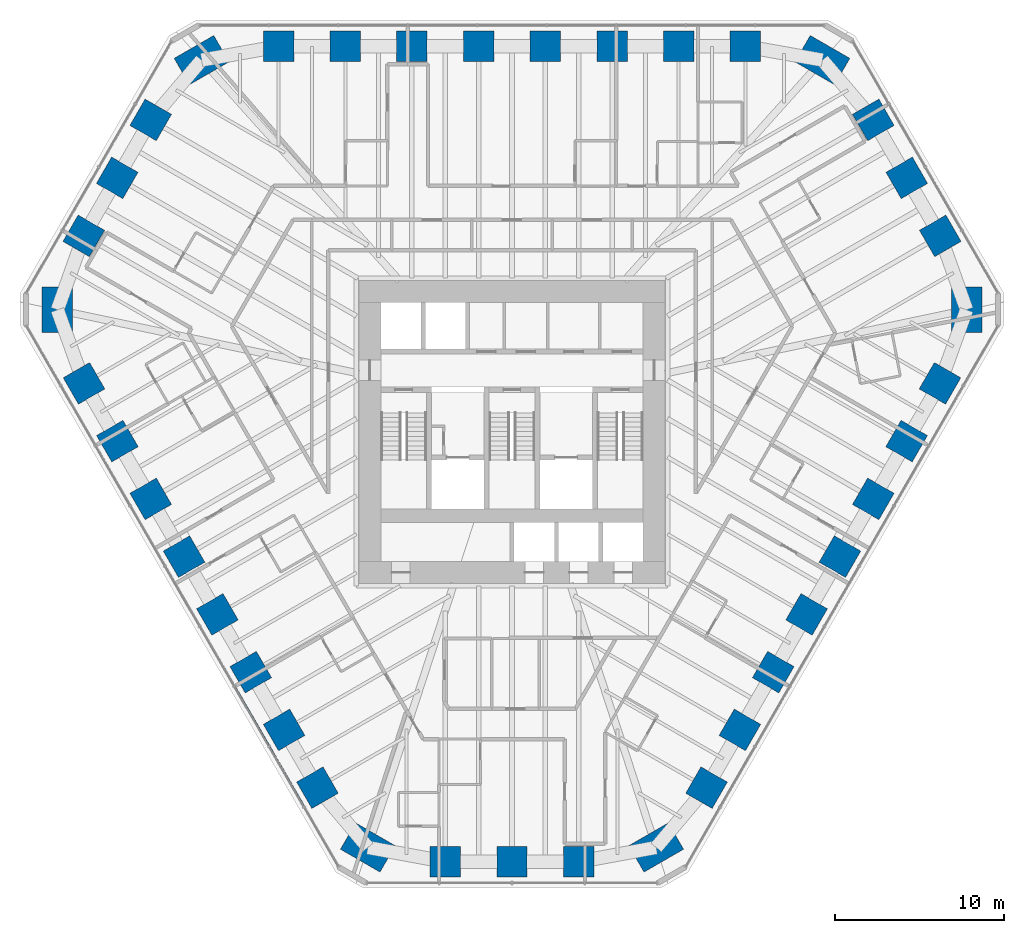
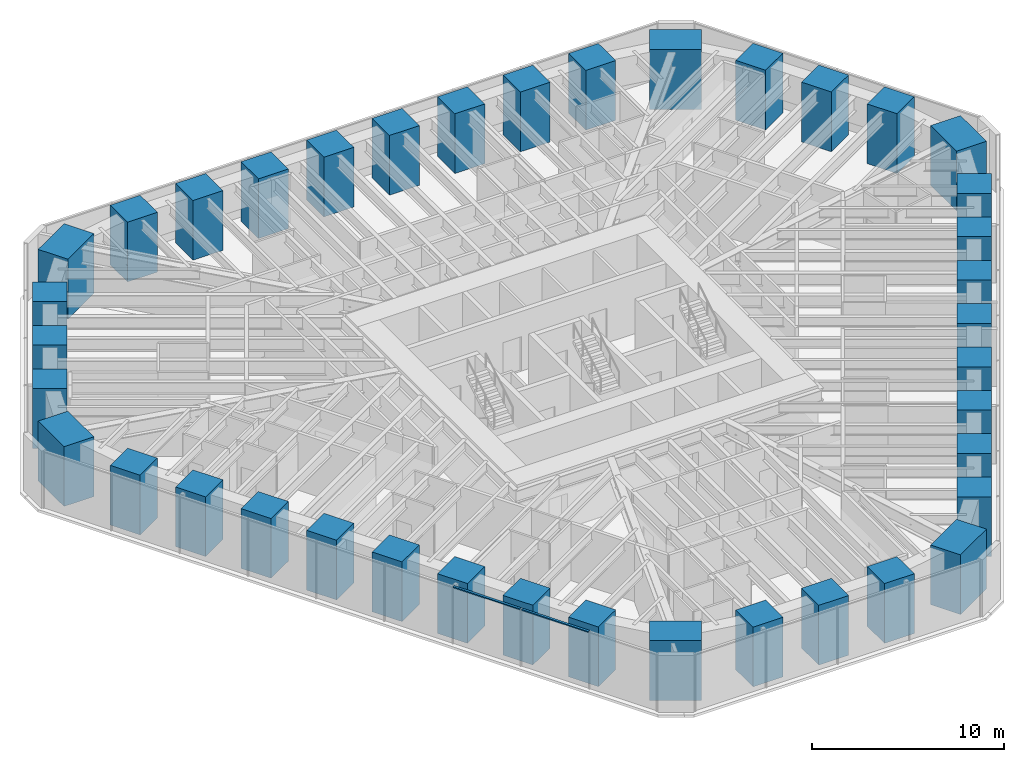
# One storey, part 1 of 17: 39 columns, 2 members, 1 element without a shape of its own.
"""IFC4 building model written with IfcOpenShell, lengths in metres."""

from ifc_helpers import new_model, si_unit, direction, frame, origin, origin_2d, place, context, subcontext, project, spatial, rectangle, extrude, material, material_profile, profile_set, type_object, element, aggregate, save


model = new_model("IFC4")

# Units and contexts
model_context = context("Model", 3, precision=1e-05, world=origin(), true_north=direction((0.0, 1.0)))
body_context = subcontext(model_context, "Body", "Model", "MODEL_VIEW")
ifc_project = project(units=[si_unit("LENGTHUNIT", "METRE"), si_unit("AREAUNIT", "SQUARE_METRE"), si_unit("VOLUMEUNIT", "CUBIC_METRE"), si_unit("PLANEANGLEUNIT", "RADIAN"), si_unit("MASSUNIT", "GRAM", prefix="KILO")], contexts=[model_context])

# Site, building, storey
site_placement = place(None, origin())
site = spatial("IfcSite", under=ifc_project, at=site_placement, CompositionType="ELEMENT")
building_placement = place(site_placement, origin())
building = spatial("IfcBuilding", under=site, at=building_placement, Name="Sandreach Pilgrim Tower", CompositionType="ELEMENT")
storey_placement = place(building_placement, frame((0.0, 0.0, 112.0)))
storey = spatial("IfcBuildingStorey", under=building, at=storey_placement, Name="L27", CompositionType="ELEMENT", Elevation=112.0)

# Columns
ifc_material_1 = material(Name="Concrete 10000 psi", Category="concrete")
ifc_material_profile_1 = material_profile(ifc_material_1, rectangle(XDim=1.800048828125, YDim=1.800048828125, at=origin_2d()), Name="RC1800X1800")
ifc_profile_set_1 = profile_set([ifc_material_profile_1], Name="Concrete 10000 psi")
column_type_1 = type_object("IfcColumnType", Name="Tube column RC1800X1800", PredefinedType="COLUMN", material=ifc_profile_set_1)
for number, where, z_axis, x_axis, name in (
    (1, (-13.789794921875, 21.23388671875, 0.0), (0.0, 0.0, 1.0), (0.0, 1.0, 0.0), "COL L27 T01"),
    (2, (-9.849853515625, 21.23388671875, 0.0), (0.0, 0.0, 1.0), (0.0, 1.0, 0.0), "COL L27 T02"),
    (3, (-5.909912109375, 21.23388671875, 0.0), (0.0, 0.0, 1.0), (0.0, 1.0, 0.0), "COL L27 T03"),
    (4, (-1.969970703125, 21.23388671875, 0.0), (0.0, 0.0, 1.0), (0.0, 1.0, 0.0), "COL L27 T04"),
    (5, (1.969970703125, 21.23388671875, 0.0), (0.0, 0.0, 1.0), (0.0, 1.0, 0.0), "COL L27 T05"),
    (6, (5.909912109375, 21.23388671875, 0.0), (0.0, 0.0, 1.0), (0.0, 1.0, 0.0), "COL L27 T06"),
    (7, (9.849853515625, 21.23388671875, 0.0), (0.0, 0.0, 1.0), (0.0, 1.0, 0.0), "COL L27 T07"),
    (8, (13.789794921875, 21.23388671875, 0.0), (0.0, 0.0, 1.0), (0.0, 1.0, 0.0), "COL L27 T08"),
    (9, (21.346435546875, 16.891357421875, 0.0), (0.0, 0.0, 1.0), (0.866025403784, 0.5, 0.0), "COL L27 T10"),
    (10, (23.323974609375, 13.466064453125, 0.0), (0.0, 0.0, 1.0), (0.866025403784, 0.5, 0.0), "COL L27 T11"),
    (11, (25.301513671875, 10.040771484375, 0.0), (0.0, 0.0, 1.0), (0.866025403784, 0.5, 0.0), "COL L27 T12"),
    (12, (25.283935546875, 1.325439453125, 0.0), (0.0, 0.0, 1.0), (0.866025403784, -0.5, 0.0), "COL L27 T14"),
    (13, (23.31396484375, -2.086669921875, 0.0), (0.0, 0.0, 1.0), (0.866025403784, -0.5, 0.0), "COL L27 T15"),
    (14, (21.343994140625, -5.498779296875, 0.0), (0.0, 0.0, 1.0), (0.866025403784, -0.5, 0.0), "COL L27 T16"),
    (15, (19.3740234375, -8.910888671875, 0.0), (0.0, 0.0, 1.0), (0.866025403784, -0.5, 0.0), "COL L27 T17"),
    (16, (17.404052734375, -12.322998046875, 0.0), (0.0, 0.0, 1.0), (0.866025403784, -0.5, 0.0), "COL L27 T18"),
    (17, (15.43408203125, -15.735107421875, 0.0), (0.0, 0.0, 1.0), (0.866025403784, -0.5, 0.0), "COL L27 T19"),
    (18, (13.464111328125, -19.147216796875, 0.0), (0.0, 0.0, 1.0), (0.866025403784, -0.5, 0.0), "COL L27 T20"),
    (19, (11.494140625, -22.559326171875, 0.0), (0.0, 0.0, 1.0), (0.866025403784, -0.5, 0.0), "COL L27 T21"),
    (20, (3.955322265625, -26.93212890625, 0.0), (0.0, 0.0, 1.0), (0.0, -1.0, 0.0), "COL L27 T23"),
    (21, (0.0, -26.93212890625, 0.0), (0.0, 0.0, 1.0), (0.0, -1.0, 0.0), "COL L27 T24"),
    (22, (-3.955322265625, -26.93212890625, 0.0), (0.0, 0.0, 1.0), (0.0, -1.0, 0.0), "COL L27 T25"),
    (23, (-11.494140625, -22.559326171875, 0.0), (0.0, 0.0, 1.0), (-0.866025403784, -0.5, 0.0), "COL L27 T27"),
    (24, (-13.464111328125, -19.147216796875, 0.0), (0.0, 0.0, 1.0), (-0.866025403784, -0.5, 0.0), "COL L27 T28"),
    (25, (-15.43408203125, -15.735107421875, 0.0), (0.0, 0.0, 1.0), (-0.866025403784, -0.5, 0.0), "COL L27 T29"),
    (26, (-17.404052734375, -12.322998046875, 0.0), (0.0, 0.0, 1.0), (-0.866025403784, -0.5, 0.0), "COL L27 T30"),
    (27, (-19.3740234375, -8.910888671875, 0.0), (0.0, 0.0, 1.0), (-0.866025403784, -0.5, 0.0), "COL L27 T31"),
    (28, (-21.343994140625, -5.498779296875, 0.0), (0.0, 0.0, 1.0), (-0.866025403784, -0.5, 0.0), "COL L27 T32"),
    (29, (-23.31396484375, -2.086669921875, 0.0), (0.0, 0.0, 1.0), (-0.866025403784, -0.5, 0.0), "COL L27 T33"),
    (30, (-25.283935546875, 1.325439453125, 0.0), (0.0, 0.0, 1.0), (-0.866025403784, -0.5, 0.0), "COL L27 T34"),
    (31, (-25.301513671875, 10.040771484375, 0.0), (0.0, 0.0, 1.0), (-0.866025403784, 0.5, 0.0), "COL L27 T36"),
    (32, (-23.323974609375, 13.466064453125, 0.0), (0.0, 0.0, 1.0), (-0.866025403784, 0.5, 0.0), "COL L27 T37"),
    (33, (-21.346435546875, 16.891357421875, 0.0), (0.0, 0.0, 1.0), (-0.866025403784, 0.5, 0.0), "COL L27 T38"),
):
    element("IfcColumn", number, at=place(storey_placement, frame(where, z_axis=z_axis, x_axis=x_axis)), inside=storey, type_object=column_type_1, Name=name, PredefinedType="COLUMN", context=body_context, shape_type="SweptSolid", body=[
        extrude(rectangle(XDim=1.800048828125, YDim=1.800048828125, at=origin_2d()), origin(), (0.0, 0.0, 1.0), 3.800048828125),
    ])
ifc_material_2 = material(Name="Concrete 10000 psi", Category="concrete")
ifc_material_profile_2 = material_profile(ifc_material_2, rectangle(XDim=1.800048828125, YDim=2.699951171875, at=origin_2d()), Name="RC1800X2700")
ifc_profile_set_2 = profile_set([ifc_material_profile_2], Name="Concrete 10000 psi")
column_type_2 = type_object("IfcColumnType", Name="Tube corner pier RC1800X2700", PredefinedType="COLUMN", material=ifc_profile_set_2)
for number, where, z_axis, x_axis, name in (
    (34, (18.33935546875, 20.423828125, 0.0), (0.0, 0.0, 1.0), (0.5, 0.866025403784, 0.0), "COL L27 T09"),
    (35, (26.857177734375, 5.67041015625, 0.0), (0.0, 0.0, 1.0), (1.0, 0.0, 0.0), "COL L27 T13"),
    (36, (8.517822265625, -26.09423828125, 0.0), (0.0, 0.0, 1.0), (0.5, -0.866025403784, 0.0), "COL L27 T22"),
    (37, (-8.517822265625, -26.09423828125, 0.0), (0.0, 0.0, 1.0), (-0.5, -0.866025403784, 0.0), "COL L27 T26"),
    (38, (-26.857177734375, 5.67041015625, 0.0), (0.0, 0.0, 1.0), (-1.0, 0.0, 0.0), "COL L27 T35"),
    (39, (-18.33935546875, 20.423828125, 0.0), (0.0, 0.0, 1.0), (-0.5, 0.866025403784, 0.0), "COL L27 T39"),
):
    element("IfcColumn", number, at=place(storey_placement, frame(where, z_axis=z_axis, x_axis=x_axis)), inside=storey, type_object=column_type_2, Name=name, PredefinedType="COLUMN", context=body_context, shape_type="SweptSolid", body=[
        extrude(rectangle(XDim=1.800048828125, YDim=2.699951171875, at=origin_2d()), origin(), (0.0, 0.0, 1.0), 3.800048828125),
    ])

# Curtain wall, members
ifc_material_3 = material(Name="Aluminium framed curtain wall", Category="aluminium")
curtain_wall_type = type_object("IfcCurtainWallType", Name="Hotel tower curtain wall", PredefinedType="NOTDEFINED", material=ifc_material_3)
curtain_wall_placement = place(storey_placement, origin())
curtain_wall = element("IfcCurtainWall", 40, at=curtain_wall_placement, inside=storey, type_object=curtain_wall_type, Name="CW-2 L27 SW", PredefinedType="NOTDEFINED")
ifc_material_4 = material(Name="Aluminium extrusion", Category="aluminium")
ifc_material_profile_3 = material_profile(ifc_material_4, rectangle(XDim=0.139892578125, YDim=0.070068359375, at=origin_2d()), Name="CW-2T 140X70")
ifc_profile_set_3 = profile_set([ifc_material_profile_3], Name="Aluminium extrusion")
member_type = type_object("IfcMemberType", Name="CW-2 transom", PredefinedType="USERDEFINED", material=ifc_profile_set_3)
member_1_placement = place(storey_placement, frame((-12.309326171875, -23.667236328125, 3.60498046875), z_axis=(-0.500023973715, 0.866011562111, 0.0), x_axis=(-0.866011562111, -0.500023973715, 0.0)))
member_1 = element("IfcMember", 41, at=member_1_placement, type_object=member_type, Name="CW-2 head transom 2", ObjectType="TRANSOM", PredefinedType="USERDEFINED", context=body_context, shape_type="SweptSolid", body=[
    extrude(rectangle(XDim=0.139892578125, YDim=0.070068359375, at=origin_2d()), origin(), (0.0, 0.0, 1.0), 4.041748046875),
])
member_2_placement = place(storey_placement, frame((-14.36279296875, -20.110595703125, 3.60498046875), z_axis=(-0.499997818338, 0.866026663364, 0.0), x_axis=(-0.866026663364, -0.499997818338, 0.0)))
member_2 = element("IfcMember", 42, at=member_2_placement, type_object=member_type, Name="CW-2 head transom 3", ObjectType="TRANSOM", PredefinedType="USERDEFINED", context=body_context, shape_type="SweptSolid", body=[
    extrude(rectangle(XDim=0.139892578125, YDim=0.070068359375, at=origin_2d()), origin(), (0.0, 0.0, 1.0), 4.0419921875),
])
aggregate(curtain_wall, [member_1, member_2])

save(model, "model.ifc")
